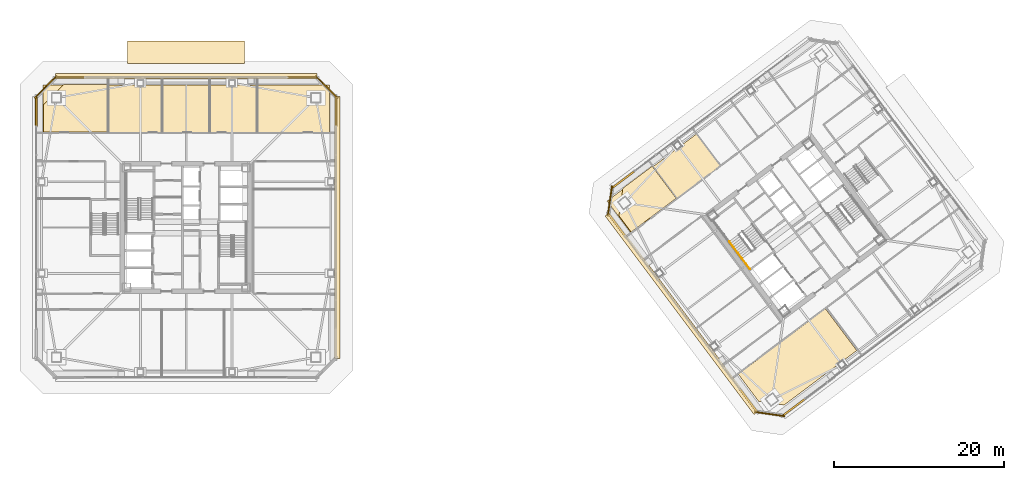
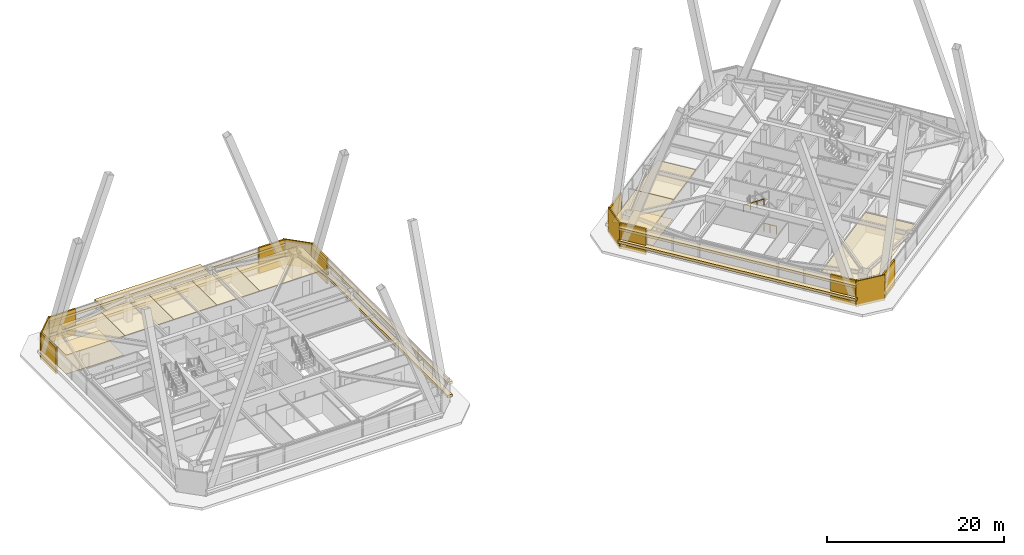
# One storey, part 62 of 65: 29 coverings, 2 railings.
"""IFC4 building model written with IfcOpenShell, lengths in metres."""

from ifc_helpers import new_model, si_unit, direction, frame, origin, origin_2d, place, context, subcontext, project, spatial, polyline, rectangle, outline, extrude, material, layer, layer_set, type_object, element, save


model = new_model("IFC4")

# Units and contexts
model_context = context("Model", 3, precision=1e-05, world=origin(), true_north=direction((0.0, 1.0)))
body_context = subcontext(model_context, "Body", "Model", "MODEL_VIEW")
ifc_project = project(units=[si_unit("LENGTHUNIT", "METRE"), si_unit("AREAUNIT", "SQUARE_METRE"), si_unit("VOLUMEUNIT", "CUBIC_METRE"), si_unit("PLANEANGLEUNIT", "RADIAN"), si_unit("MASSUNIT", "GRAM", prefix="KILO")], contexts=[model_context])

# Site, building, storey
site_placement = place(None, origin())
site = spatial("IfcSite", under=ifc_project, at=site_placement, CompositionType="ELEMENT")
building_placement = place(site_placement, origin())
building = spatial("IfcBuilding", under=site, at=building_placement, Name="Tashvorn Skyway Center", CompositionType="ELEMENT")
storey_placement = place(building_placement, frame((0.0, 0.0, 157.0)))
storey = spatial("IfcBuildingStorey", under=building, at=storey_placement, Name="L42", CompositionType="ELEMENT", Elevation=157.0)

# Coverings
ifc_material_1 = material(Name="Precast concrete C40/50", Category="concrete")
ifc_layer_1 = layer(ifc_material_1, 0.199951171875)
ifc_layer_set_1 = layer_set([ifc_layer_1], Name="Precast concrete C40/50")
covering_type_1 = type_object("IfcCoveringType", Name="COV-BRACE-CLAD", PredefinedType="CLADDING", material=ifc_layer_set_1)
for number, where, z_axis, x_axis, name in (
    (1, (24.320068359375, 45.671142578125, 0.0), (0.0, 0.0, 1.0), (0.0, 1.0, 0.0), "Tower 1 L42 West Unitised Curtain Wall Mega-Brace Cladding Band 2"),
    (2, (28.328857421875, 49.679931640625, 0.0), (0.0, 0.0, 1.0), (1.0, 0.0, 0.0), "Tower 1 L42 North Unitised Curtain Wall Mega-Brace Cladding Band 1"),
    (3, (55.671142578125, 49.679931640625, 0.0), (0.0, 0.0, 1.0), (1.0, 0.0, 0.0), "Tower 1 L42 North Unitised Curtain Wall Mega-Brace Cladding Band 2"),
    (4, (59.679931640625, 45.671142578125, 0.0), (0.0, 0.0, 1.0), (0.0, -1.0, 0.0), "Tower 1 L42 East Unitised Curtain Wall Mega-Brace Cladding Band 1"),
):
    element("IfcCovering", number, at=place(storey_placement, frame(where, z_axis=z_axis, x_axis=x_axis)), inside=storey, type_object=covering_type_1, Name=name, PredefinedType="CLADDING", context=body_context, shape_type="SweptSolid", body=[
        extrude(rectangle(XDim=3.417724609375, YDim=0.199951171875, at=origin_2d()), origin(), (0.0, 0.0, 1.0), 3.550048828125),
    ])
for number, where, z_axis, x_axis, name in (
    (5, (113.699951171875, 10.800048828125, 0.0), (0.0, 0.0, 1.0), (-0.799999996291, -0.600000004945, 0.0), "Tower 2 L42 South Unitised Curtain Wall Mega-Brace Cladding Band 2"),
    (6, (108.35205078125, 11.56396484375, 0.0), (0.0, 0.0, 1.0), (-0.600000004945, 0.799999996291, 0.0), "Tower 2 L42 West Unitised Curtain Wall Mega-Brace Cladding Band 1"),
    (7, (92.800048828125, 32.300048828125, 0.0), (0.0, 0.0, 1.0), (-0.600000004945, 0.799999996291, 0.0), "Tower 2 L42 West Unitised Curtain Wall Mega-Brace Cladding Band 2"),
    (8, (93.56396484375, 37.64794921875, 0.0), (0.0, 0.0, 1.0), (0.799999996291, 0.600000004945, 0.0), "Tower 2 L42 North Unitised Curtain Wall Mega-Brace Cladding Band 1"),
):
    element("IfcCovering", number, at=place(storey_placement, frame(where, z_axis=z_axis, x_axis=x_axis)), inside=storey, type_object=covering_type_1, Name=name, PredefinedType="CLADDING", context=body_context, shape_type="SweptSolid", body=[
        extrude(rectangle(XDim=3.239990234375, YDim=0.199951171875, at=origin_2d()), origin(), (0.0, 0.0, 1.0), 3.550048828125),
    ])
ifc_material_2 = material(Name="Mineral-fibre acoustic ceiling tile on suspended grid")
ifc_layer_2 = layer(ifc_material_2, 0.02001953125)
ifc_layer_set_2 = layer_set([ifc_layer_2], Name="Mineral-fibre acoustic ceiling tile on suspended grid")
covering_type_2 = type_object("IfcCoveringType", Name="COV-CEIL-20", PredefinedType="CEILING", material=ifc_layer_set_2)
covering_1_placement = place(storey_placement, frame((0.0, 0.0, 2.702880859375)))
element("IfcCovering", 9, at=covering_1_placement, inside=storey, type_object=covering_type_2, Name="Tower 1 L42 Research Library Acoustic Ceiling", PredefinedType="CEILING", context=body_context, shape_type="SweptSolid", body=[
    extrude(outline(polyline([(25.10009765625, 43.199951171875), (32.800048828125, 43.199951171875), (32.800048828125, 48.800048828125), (25.10009765625, 48.800048828125), (25.10009765625, 43.199951171875)])), origin(), (0.0, 0.0, 1.0), 0.02001953125),
])
covering_2_placement = place(storey_placement, frame((0.0, 0.0, 2.702880859375)))
element("IfcCovering", 10, at=covering_2_placement, inside=storey, type_object=covering_type_2, Name="Tower 1 L42 Research Library Acoustic Ceiling", PredefinedType="CEILING", context=body_context, shape_type="SweptSolid", body=[
    extrude(outline(polyline([(32.800048828125, 43.199951171875), (39.199951171875, 43.199951171875), (39.199951171875, 48.800048828125), (32.800048828125, 48.800048828125), (32.800048828125, 43.199951171875)])), origin(), (0.0, 0.0, 1.0), 0.02001953125),
])
covering_3_placement = place(storey_placement, frame((0.0, 0.0, 2.702880859375)))
element("IfcCovering", 11, at=covering_3_placement, inside=storey, type_object=covering_type_2, Name="Tower 1 L42 Staff Fitness Club Acoustic Ceiling", PredefinedType="CEILING", context=body_context, shape_type="SweptSolid", body=[
    extrude(outline(polyline([(39.199951171875, 43.199951171875), (44.800048828125, 43.199951171875), (44.800048828125, 48.800048828125), (39.199951171875, 48.800048828125), (39.199951171875, 43.199951171875)])), origin(), (0.0, 0.0, 1.0), 0.02001953125),
])
covering_4_placement = place(storey_placement, frame((0.0, 0.0, 2.702880859375)))
element("IfcCovering", 12, at=covering_4_placement, inside=storey, type_object=covering_type_2, Name="Tower 1 L42 Research Library Acoustic Ceiling", PredefinedType="CEILING", context=body_context, shape_type="SweptSolid", body=[
    extrude(outline(polyline([(44.800048828125, 43.199951171875), (50.39990234375, 43.199951171875), (50.39990234375, 48.800048828125), (44.800048828125, 48.800048828125), (44.800048828125, 43.199951171875)])), origin(), (0.0, 0.0, 1.0), 0.02001953125),
])
covering_5_placement = place(storey_placement, frame((0.0, 0.0, 2.702880859375)))
element("IfcCovering", 13, at=covering_5_placement, inside=storey, type_object=covering_type_2, Name="Tower 1 L42 Research Library Acoustic Ceiling", PredefinedType="CEILING", context=body_context, shape_type="SweptSolid", body=[
    extrude(outline(polyline([(50.39990234375, 43.199951171875), (58.89990234375, 43.199951171875), (58.89990234375, 48.800048828125), (50.39990234375, 48.800048828125), (50.39990234375, 43.199951171875)])), origin(), (0.0, 0.0, 1.0), 0.02001953125),
])
covering_6_placement = place(storey_placement, frame((0.0, 0.0, 2.702880859375)))
element("IfcCovering", 14, at=covering_6_placement, inside=storey, type_object=covering_type_2, Name="Tower 2 L42 Research Library Acoustic Ceiling", PredefinedType="CEILING", context=body_context, shape_type="SweptSolid", body=[
    extrude(outline(polyline([(94.47998046875, 31.360107421875), (99.919921875, 35.43994140625), (97.10009765625, 39.199951171875), (91.659912109375, 35.1201171875), (94.47998046875, 31.360107421875)])), origin(), (0.0, 0.0, 1.0), 0.02001953125),
])
covering_7_placement = place(storey_placement, frame((0.0, 0.0, 2.702880859375)))
element("IfcCovering", 15, at=covering_7_placement, inside=storey, type_object=covering_type_2, Name="Tower 2 L42 Research Library Acoustic Ceiling", PredefinedType="CEILING", context=body_context, shape_type="SweptSolid", body=[
    extrude(outline(polyline([(99.919921875, 35.43994140625), (105.0400390625, 39.280029296875), (102.219970703125, 43.0400390625), (97.10009765625, 39.199951171875), (99.919921875, 35.43994140625)])), origin(), (0.0, 0.0, 1.0), 0.02001953125),
])
covering_8_placement = place(storey_placement, frame((0.0, 0.0, 2.702880859375)))
element("IfcCovering", 16, at=covering_8_placement, inside=storey, type_object=covering_type_2, Name="Tower 2 L42 Research Library Acoustic Ceiling", PredefinedType="CEILING", context=body_context, shape_type="SweptSolid", body=[
    extrude(outline(polyline([(107.1220703125, 14.7041015625), (117.409912109375, 22.419921875), (121.112060546875, 17.48388671875), (112.552001953125, 11.06396484375), (109.528076171875, 11.49609375), (107.1220703125, 14.7041015625)])), origin(), (0.0, 0.0, 1.0), 0.02001953125),
])
ifc_material_3 = material(Name="Polished Mojave desert-aggregate terrazzo and cover plate")
ifc_layer_3 = layer(ifc_material_3, 0.0400390625)
ifc_layer_set_3 = layer_set([ifc_layer_3], Name="Polished Mojave desert-aggregate terrazzo and cover plate")
covering_type_3 = type_object("IfcCoveringType", Name="COV-FLR-40", PredefinedType="FLOORING", material=ifc_layer_set_3)
covering_9_placement = place(storey_placement, origin())
element("IfcCovering", 17, at=covering_9_placement, inside=storey, type_object=covering_type_3, Name="Tower 1 L42 Research Library Finish Flooring", PredefinedType="FLOORING", context=body_context, shape_type="SweptSolid", body=[
    extrude(outline(polyline([(32.719970703125, 43.280029296875), (25.179931640625, 43.280029296875), (25.179931640625, 46.47998046875), (27.60009765625, 48.89990234375), (32.719970703125, 48.89990234375), (32.719970703125, 43.280029296875)])), origin(), (0.0, 0.0, 1.0), 0.0400390625),
])
covering_10_placement = place(storey_placement, origin())
element("IfcCovering", 18, at=covering_10_placement, inside=storey, type_object=covering_type_3, Name="Tower 2 L42 Research Library Finish Flooring", PredefinedType="FLOORING", context=body_context, shape_type="SweptSolid", body=[
    extrude(outline(polyline([(99.80810546875, 35.4560546875), (94.49609375, 31.471923828125), (93.055908203125, 33.39208984375), (93.52001953125, 36.639892578125), (96.97607421875, 39.23193359375), (99.80810546875, 35.4560546875)])), origin(), (0.0, 0.0, 1.0), 0.0400390625),
])
ifc_material_4 = material(Name="Perforated ceramic-coated bronze aluminium solar screen", Category="aluminium")
ifc_layer_4 = layer(ifc_material_4, 0.85009765625)
ifc_layer_set_4 = layer_set([ifc_layer_4], Name="Perforated ceramic-coated bronze aluminium solar screen")
covering_type_4 = type_object("IfcCoveringType", Name="COV-SOLAR-BAND", PredefinedType="CLADDING", material=ifc_layer_set_4)
for number, where, z_axis, x_axis, name in (
    (19, (42.0, 49.820068359375, 0.919921875), (0.0, 0.0, 1.0), (1.0, 0.0, 0.0), "L42 Perforated Ceramic-Metal Solar Screen Louvre Band North 1"),
    (20, (42.0, 49.820068359375, 2.7197265625), (0.0, 0.0, 1.0), (1.0, 0.0, 0.0), "L42 Perforated Ceramic-Metal Solar Screen Louvre Band North 2"),
    (21, (59.820068359375, 32.0, 0.919921875), (0.0, 0.0, 1.0), (0.0, -1.0, 0.0), "L42 Perforated Ceramic-Metal Solar Screen Louvre Band East 1"),
    (22, (59.820068359375, 32.0, 2.7197265625), (0.0, 0.0, 1.0), (0.0, -1.0, 0.0), "L42 Perforated Ceramic-Metal Solar Screen Louvre Band East 2"),
):
    element("IfcCovering", number, at=place(storey_placement, frame(where, z_axis=z_axis, x_axis=x_axis)), inside=storey, type_object=covering_type_4, Name=name, PredefinedType="CLADDING", context=body_context, shape_type="SweptSolid", body=[
        extrude(rectangle(XDim=30.8798828125, YDim=0.639892578125, at=origin_2d()), origin(), (0.0, 0.0, 1.0), 0.360107421875),
    ])
for number, where, z_axis, x_axis, name in (
    (23, (100.464111328125, 21.847900390625, 0.919921875), (0.0, 0.0, 1.0), (-0.600000004945, 0.799999996291, 0.0), "L42 Perforated Ceramic-Metal Solar Screen Louvre Band West 1"),
    (24, (100.464111328125, 21.847900390625, 2.7197265625), (0.0, 0.0, 1.0), (-0.600000004945, 0.799999996291, 0.0), "L42 Perforated Ceramic-Metal Solar Screen Louvre Band West 2"),
):
    element("IfcCovering", number, at=place(storey_placement, frame(where, z_axis=z_axis, x_axis=x_axis)), inside=storey, type_object=covering_type_4, Name=name, PredefinedType="CLADDING", context=body_context, shape_type="SweptSolid", body=[
        extrude(rectangle(XDim=29.280029296875, YDim=0.639892578125, at=origin_2d()), origin(), (0.0, 0.0, 1.0), 0.360107421875),
    ])
ifc_layer_5 = layer(ifc_material_1, 0.35009765625)
ifc_layer_set_5 = layer_set([ifc_layer_5], Name="Precast concrete C40/50")
covering_type_5 = type_object("IfcCoveringType", Name="COV-STONE-TRIM", PredefinedType="CLADDING", material=ifc_layer_set_5)
covering_11_placement = place(storey_placement, frame((42.0, 52.699951171875, 0.0), z_axis=(0.0, 0.0, 1.0), x_axis=(1.0, 0.0, 0.0)))
element("IfcCovering", 25, at=covering_11_placement, inside=storey, type_object=covering_type_5, Name="Tower 1 L41 Sky Garden Terracotta Canopy Hood", PredefinedType="CLADDING", context=body_context, shape_type="SweptSolid", body=[
    extrude(rectangle(XDim=13.800048828125, YDim=2.64990234375, at=origin_2d()), origin(), (0.0, 0.0, 1.0), 0.39990234375),
])
for number, where, z_axis, x_axis, name in (
    (26, (25.429931640625, 48.570068359375, 0.02001953125), (0.0, 0.0, 1.0), (-0.707106781187, -0.707106781187, 0.0), "Tower 1 L42 NW Mojave Limestone Corner Quoin"),
    (27, (58.570068359375, 48.570068359375, 0.02001953125), (0.0, 0.0, 1.0), (0.707106781187, -0.707106781187, 0.0), "Tower 1 L42 NE Mojave Limestone Corner Quoin"),
):
    element("IfcCovering", number, at=place(storey_placement, frame(where, z_axis=z_axis, x_axis=x_axis)), inside=storey, type_object=covering_type_5, Name=name, PredefinedType="CLADDING", context=body_context, shape_type="SweptSolid", body=[
        extrude(rectangle(XDim=3.695556640625, YDim=0.139892578125, at=origin_2d()), origin(), (0.0, 0.0, 1.0), 3.510009765625),
    ])
for number, where, z_axis, x_axis, name in (
    (28, (110.85595703125, 9.991943359375, 0.02001953125), (0.0, 0.0, 1.0), (-0.989949494535, 0.141421350118, 0.0), "Tower 2 L42 SW Mojave Limestone Corner Quoin"),
    (29, (91.991943359375, 35.14404296875, 0.02001953125), (0.0, 0.0, 1.0), (-0.141421350118, -0.989949494535, 0.0), "Tower 2 L42 NW Mojave Limestone Corner Quoin"),
):
    element("IfcCovering", number, at=place(storey_placement, frame(where, z_axis=z_axis, x_axis=x_axis)), inside=storey, type_object=covering_type_5, Name=name, PredefinedType="CLADDING", context=body_context, shape_type="SweptSolid", body=[
        extrude(rectangle(XDim=3.55419921875, YDim=0.139892578125, at=origin_2d()), origin(), (0.0, 0.0, 1.0), 3.510009765625),
    ])

# Railings
ifc_material_5 = material(Name="Brushed stainless steel 316", Category="steel")
railing_type_1 = type_object("IfcRailingType", Name="RAIL-HAND-920", PredefinedType="HANDRAIL", material=ifc_material_5)
railing_1_placement = place(storey_placement, frame((106.072021484375, 30.35400390625, 1.952392578125)))
element("IfcRailing", 30, at=railing_1_placement, inside=storey, type_object=railing_type_1, Name="L42 ST-T2-1 stair handrail 2", PredefinedType="HANDRAIL", context=body_context, shape_type="SweptSolid", body=[
    extrude(rectangle(XDim=0.048095703125, YDim=0.048095703125, at=origin_2d()), frame((0.0, 0.0, 0.8759765625), z_axis=(0.506718600913, -0.675679348675, 0.535437836974), x_axis=(0.800023250257, 0.599968998406, 0.0)), (0.0, 0.0, 1.0), 2.98388671875),
    extrude(rectangle(XDim=0.0419921875, YDim=0.0419921875, at=origin_2d()), origin(), (0.0, 0.0, 1.0), 0.851806640625),
    extrude(rectangle(XDim=0.0419921875, YDim=0.0419921875, at=origin_2d()), frame((0.50390625, -0.672119140625, 0.532470703125)), (0.0, 0.0, 1.0), 0.851806640625),
    extrude(rectangle(XDim=0.0419921875, YDim=0.0419921875, at=origin_2d()), frame((1.008056640625, -1.343994140625, 1.065185546875)), (0.0, 0.0, 1.0), 0.851806640625),
    extrude(rectangle(XDim=0.0419921875, YDim=0.0419921875, at=origin_2d()), frame((1.511962890625, -2.01611328125, 1.59765625)), (0.0, 0.0, 1.0), 0.851806640625),
])
ifc_material_6 = material(Name="Painted galvanized steel S355", Category="steel")
railing_type_2 = type_object("IfcRailingType", Name="RAIL-STGUARD-1100", PredefinedType="GUARDRAIL", material=ifc_material_6)
railing_2_placement = place(storey_placement, frame((108.49609375, 27.1220703125, 0.0)))
element("IfcRailing", 31, at=railing_2_placement, inside=storey, type_object=railing_type_2, Name="L42 ST-T2-1 stair guard 6", PredefinedType="GUARDRAIL", context=body_context, shape_type="SweptSolid", body=[
    extrude(rectangle(XDim=0.048095703125, YDim=0.048095703125, at=origin_2d()), frame((0.0, 0.0, 1.076171875), z_axis=(-0.600102796382, 0.799922892393, 0.0), x_axis=(-0.799922892393, -0.600102796382, 0.0)), (0.0, 0.0, 1.0), 1.52001953125),
    extrude(rectangle(XDim=0.0419921875, YDim=0.0419921875, at=origin_2d()), origin(), (0.0, 0.0, 1.0), 1.052001953125),
    extrude(rectangle(XDim=0.0419921875, YDim=0.0419921875, at=origin_2d()), frame((-0.4560546875, 0.60791015625, 0.0)), (0.0, 0.0, 1.0), 1.052001953125),
    extrude(rectangle(XDim=0.0419921875, YDim=0.0419921875, at=origin_2d()), frame((-0.912109375, 1.2158203125, 0.0)), (0.0, 0.0, 1.0), 1.052001953125),
])

save(model, "model.ifc")
